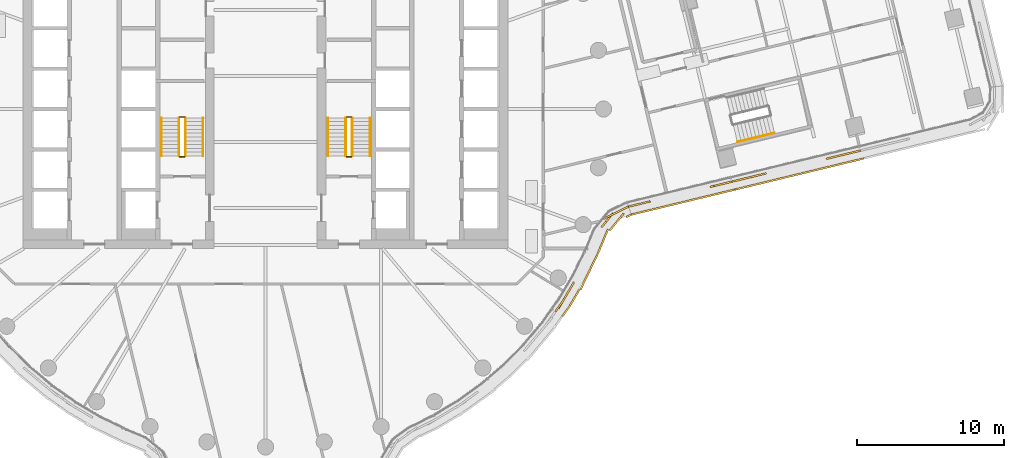
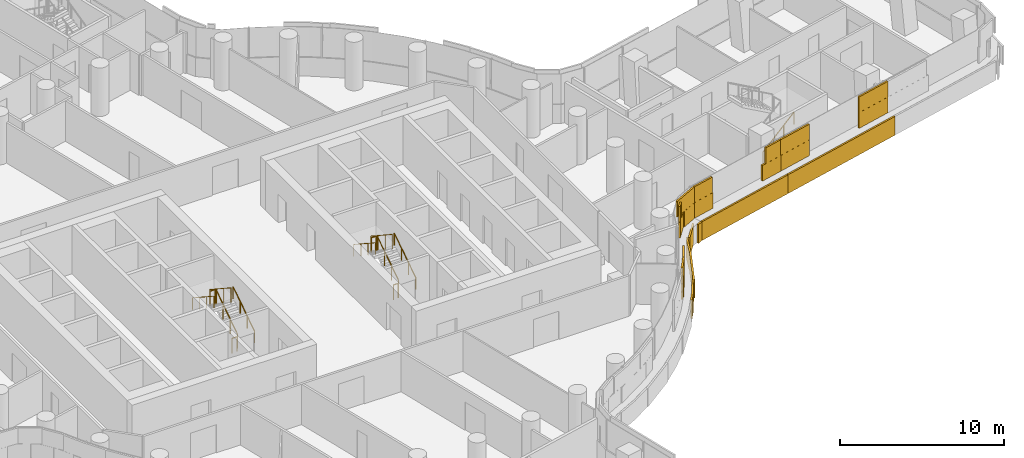
# One storey, part 28 of 33: 13 railings, 3 coverings.
"""IFC4 building model written with IfcOpenShell, lengths in metres."""

from ifc_helpers import new_model, si_unit, direction, frame, origin, origin_2d, place, context, subcontext, project, spatial, rectangle, circle, extrude, material, layer, layer_set, type_object, element, save


model = new_model("IFC4")

# Units and contexts
model_context = context("Model", 3, precision=1e-05, world=origin(), true_north=direction((0.0, 1.0)))
body_context = subcontext(model_context, "Body", "Model", "MODEL_VIEW")
ifc_project = project(units=[si_unit("LENGTHUNIT", "METRE"), si_unit("AREAUNIT", "SQUARE_METRE"), si_unit("VOLUMEUNIT", "CUBIC_METRE"), si_unit("PLANEANGLEUNIT", "RADIAN"), si_unit("MASSUNIT", "GRAM", prefix="KILO")], contexts=[model_context])

# Site, building, storey
site_placement = place(None, origin())
site = spatial("IfcSite", under=ifc_project, at=site_placement, CompositionType="ELEMENT")
building_placement = place(site_placement, origin())
building = spatial("IfcBuilding", under=site, at=building_placement, Name="Tamarind Cross Interchange Tower", CompositionType="ELEMENT")
storey_placement = place(building_placement, frame((0.0, 0.0, 83.5)))
storey = spatial("IfcBuildingStorey", under=building, at=storey_placement, Name="L19", CompositionType="ELEMENT", Elevation=83.5)

# Railings
ifc_material_1 = material(Name="Stair guard")
railing_type_1 = type_object("IfcRailingType", Name="Stair guard", PredefinedType="GUARDRAIL", material=ifc_material_1)
railing_1_placement = place(storey_placement, frame((-5.449951171875, -3.199951171875, 0.17041015625)))
element("IfcRailing", 1, at=railing_1_placement, inside=storey, type_object=railing_type_1, Name="L19 ST1 stair guard 1", PredefinedType="GUARDRAIL", context=body_context, shape_type="SweptSolid", body=[
    extrude(circle(Radius=0.02392578125, at=origin_2d()), frame((0.0, 0.0, 1.076171875), z_axis=(0.0, 0.836278606002, 0.548304744775), x_axis=(-1.0, 0.0, 0.0)), (0.0, 0.0, 1.0), 3.10888671875),
    extrude(circle(Radius=0.02099609375, at=origin_2d()), origin(), (0.0, 0.0, 1.0), 1.052001953125),
    extrude(circle(Radius=0.02099609375, at=origin_2d()), frame((0.0, 0.86669921875, 0.568115234375)), (0.0, 0.0, 1.0), 1.052001953125),
    extrude(circle(Radius=0.02099609375, at=origin_2d()), frame((0.0, 1.733154296875, 1.136474609375)), (0.0, 0.0, 1.0), 1.052001953125),
    extrude(circle(Radius=0.02099609375, at=origin_2d()), frame((0.0, 2.599853515625, 1.70458984375)), (0.0, 0.0, 1.0), 1.052001953125),
])
railing_2_placement = place(storey_placement, frame((-5.5, -0.550048828125, 1.875)))
element("IfcRailing", 2, at=railing_2_placement, inside=storey, type_object=railing_type_1, Name="L19 ST1 stair guard 2", PredefinedType="GUARDRAIL", context=body_context, shape_type="SweptSolid", body=[
    extrude(circle(Radius=0.02392578125, at=origin_2d()), frame((0.0, 0.0, 1.076171875), z_axis=(-1.0, 0.0, 0.0), x_axis=(0.0, -1.0, 0.0)), (0.0, 0.0, 1.0), 0.35009765625),
    extrude(circle(Radius=0.02099609375, at=origin_2d()), origin(), (0.0, 0.0, 1.0), 1.052001953125),
    extrude(circle(Radius=0.02099609375, at=origin_2d()), frame((-0.35009765625, 0.0, 0.0)), (0.0, 0.0, 1.0), 1.052001953125),
])
railing_3_placement = place(storey_placement, frame((-5.89990234375, -0.60009765625, 2.04541015625)))
element("IfcRailing", 3, at=railing_3_placement, inside=storey, type_object=railing_type_1, Name="L19 ST1 stair guard 3", PredefinedType="GUARDRAIL", context=body_context, shape_type="SweptSolid", body=[
    extrude(circle(Radius=0.02392578125, at=origin_2d()), frame((0.0, 0.0, 1.076171875), z_axis=(0.0, -0.836278606002, 0.548304744775), x_axis=(1.0, 0.0, 0.0)), (0.0, 0.0, 1.0), 3.10888671875),
    extrude(circle(Radius=0.02099609375, at=origin_2d()), origin(), (0.0, 0.0, 1.0), 1.052001953125),
    extrude(circle(Radius=0.02099609375, at=origin_2d()), frame((0.0, -0.86669921875, 0.568115234375)), (0.0, 0.0, 1.0), 1.052001953125),
    extrude(circle(Radius=0.02099609375, at=origin_2d()), frame((0.0, -1.733154296875, 1.136474609375)), (0.0, 0.0, 1.0), 1.052001953125),
    extrude(circle(Radius=0.02099609375, at=origin_2d()), frame((0.0, -2.599853515625, 1.70458984375)), (0.0, 0.0, 1.0), 1.052001953125),
])
railing_4_placement = place(storey_placement, frame((-5.5, -3.25, 0.0)))
element("IfcRailing", 4, at=railing_4_placement, inside=storey, type_object=railing_type_1, Name="L19 ST1 stair guard 4", PredefinedType="GUARDRAIL", context=body_context, shape_type="SweptSolid", body=[
    extrude(circle(Radius=0.02392578125, at=origin_2d()), frame((0.0, 0.0, 1.076171875), z_axis=(-1.0, 0.0, 0.0), x_axis=(0.0, -1.0, 0.0)), (0.0, 0.0, 1.0), 0.35009765625),
    extrude(circle(Radius=0.02099609375, at=origin_2d()), origin(), (0.0, 0.0, 1.0), 1.052001953125),
    extrude(circle(Radius=0.02099609375, at=origin_2d()), frame((-0.35009765625, 0.0, 0.0)), (0.0, 0.0, 1.0), 1.052001953125),
])
railing_5_placement = place(storey_placement, frame((5.89990234375, -3.199951171875, 0.17041015625)))
element("IfcRailing", 5, at=railing_5_placement, inside=storey, type_object=railing_type_1, Name="L19 ST2 stair guard 1", PredefinedType="GUARDRAIL", context=body_context, shape_type="SweptSolid", body=[
    extrude(circle(Radius=0.02392578125, at=origin_2d()), frame((0.0, 0.0, 1.076171875), z_axis=(0.0, 0.836278606002, 0.548304744775), x_axis=(-1.0, 0.0, 0.0)), (0.0, 0.0, 1.0), 3.10888671875),
    extrude(circle(Radius=0.02099609375, at=origin_2d()), origin(), (0.0, 0.0, 1.0), 1.052001953125),
    extrude(circle(Radius=0.02099609375, at=origin_2d()), frame((0.0, 0.86669921875, 0.568115234375)), (0.0, 0.0, 1.0), 1.052001953125),
    extrude(circle(Radius=0.02099609375, at=origin_2d()), frame((0.0, 1.733154296875, 1.136474609375)), (0.0, 0.0, 1.0), 1.052001953125),
    extrude(circle(Radius=0.02099609375, at=origin_2d()), frame((0.0, 2.599853515625, 1.70458984375)), (0.0, 0.0, 1.0), 1.052001953125),
])
railing_6_placement = place(storey_placement, frame((5.85009765625, -0.550048828125, 1.875)))
element("IfcRailing", 6, at=railing_6_placement, inside=storey, type_object=railing_type_1, Name="L19 ST2 stair guard 2", PredefinedType="GUARDRAIL", context=body_context, shape_type="SweptSolid", body=[
    extrude(circle(Radius=0.02392578125, at=origin_2d()), frame((0.0, 0.0, 1.076171875), z_axis=(-1.0, 0.0, 0.0), x_axis=(0.0, -1.0, 0.0)), (0.0, 0.0, 1.0), 0.35009765625),
    extrude(circle(Radius=0.02099609375, at=origin_2d()), origin(), (0.0, 0.0, 1.0), 1.052001953125),
    extrude(circle(Radius=0.02099609375, at=origin_2d()), frame((-0.35009765625, 0.0, 0.0)), (0.0, 0.0, 1.0), 1.052001953125),
])
railing_7_placement = place(storey_placement, frame((5.449951171875, -0.60009765625, 2.04541015625)))
element("IfcRailing", 7, at=railing_7_placement, inside=storey, type_object=railing_type_1, Name="L19 ST2 stair guard 3", PredefinedType="GUARDRAIL", context=body_context, shape_type="SweptSolid", body=[
    extrude(circle(Radius=0.02392578125, at=origin_2d()), frame((0.0, 0.0, 1.076171875), z_axis=(0.0, -0.836278606002, 0.548304744775), x_axis=(1.0, 0.0, 0.0)), (0.0, 0.0, 1.0), 3.10888671875),
    extrude(circle(Radius=0.02099609375, at=origin_2d()), origin(), (0.0, 0.0, 1.0), 1.052001953125),
    extrude(circle(Radius=0.02099609375, at=origin_2d()), frame((0.0, -0.86669921875, 0.568115234375)), (0.0, 0.0, 1.0), 1.052001953125),
    extrude(circle(Radius=0.02099609375, at=origin_2d()), frame((0.0, -1.733154296875, 1.136474609375)), (0.0, 0.0, 1.0), 1.052001953125),
    extrude(circle(Radius=0.02099609375, at=origin_2d()), frame((0.0, -2.599853515625, 1.70458984375)), (0.0, 0.0, 1.0), 1.052001953125),
])
railing_8_placement = place(storey_placement, frame((5.85009765625, -3.25, 0.0)))
element("IfcRailing", 8, at=railing_8_placement, inside=storey, type_object=railing_type_1, Name="L19 ST2 stair guard 4", PredefinedType="GUARDRAIL", context=body_context, shape_type="SweptSolid", body=[
    extrude(circle(Radius=0.02392578125, at=origin_2d()), frame((0.0, 0.0, 1.076171875), z_axis=(-1.0, 0.0, 0.0), x_axis=(0.0, -1.0, 0.0)), (0.0, 0.0, 1.0), 0.35009765625),
    extrude(circle(Radius=0.02099609375, at=origin_2d()), origin(), (0.0, 0.0, 1.0), 1.052001953125),
    extrude(circle(Radius=0.02099609375, at=origin_2d()), frame((-0.35009765625, 0.0, 0.0)), (0.0, 0.0, 1.0), 1.052001953125),
])
ifc_material_2 = material(Name="Stair handrail")
railing_type_2 = type_object("IfcRailingType", Name="Stair handrail", PredefinedType="HANDRAIL", material=ifc_material_2)
railing_9_placement = place(storey_placement, frame((-4.25, -3.199951171875, 0.17041015625)))
element("IfcRailing", 9, at=railing_9_placement, inside=storey, type_object=railing_type_2, Name="L19 ST1 stair handrail 1", PredefinedType="HANDRAIL", context=body_context, shape_type="SweptSolid", body=[
    extrude(circle(Radius=0.02392578125, at=origin_2d()), frame((0.0, 0.0, 0.8759765625), z_axis=(0.0, 0.836278606002, 0.548304744775), x_axis=(-1.0, 0.0, 0.0)), (0.0, 0.0, 1.0), 3.10888671875),
    extrude(circle(Radius=0.02099609375, at=origin_2d()), origin(), (0.0, 0.0, 1.0), 0.851806640625),
    extrude(circle(Radius=0.02099609375, at=origin_2d()), frame((0.0, 0.86669921875, 0.568115234375)), (0.0, 0.0, 1.0), 0.851806640625),
    extrude(circle(Radius=0.02099609375, at=origin_2d()), frame((0.0, 1.733154296875, 1.136474609375)), (0.0, 0.0, 1.0), 0.851806640625),
    extrude(circle(Radius=0.02099609375, at=origin_2d()), frame((0.0, 2.599853515625, 1.70458984375)), (0.0, 0.0, 1.0), 0.851806640625),
])
railing_10_placement = place(storey_placement, frame((-7.10009765625, -0.60009765625, 2.04541015625)))
element("IfcRailing", 10, at=railing_10_placement, inside=storey, type_object=railing_type_2, Name="L19 ST1 stair handrail 2", PredefinedType="HANDRAIL", context=body_context, shape_type="SweptSolid", body=[
    extrude(circle(Radius=0.02392578125, at=origin_2d()), frame((0.0, 0.0, 0.8759765625), z_axis=(0.0, -0.836278606002, 0.548304744775), x_axis=(1.0, 0.0, 0.0)), (0.0, 0.0, 1.0), 3.10888671875),
    extrude(circle(Radius=0.02099609375, at=origin_2d()), origin(), (0.0, 0.0, 1.0), 0.851806640625),
    extrude(circle(Radius=0.02099609375, at=origin_2d()), frame((0.0, -0.86669921875, 0.568115234375)), (0.0, 0.0, 1.0), 0.851806640625),
    extrude(circle(Radius=0.02099609375, at=origin_2d()), frame((0.0, -1.733154296875, 1.136474609375)), (0.0, 0.0, 1.0), 0.851806640625),
    extrude(circle(Radius=0.02099609375, at=origin_2d()), frame((0.0, -2.599853515625, 1.70458984375)), (0.0, 0.0, 1.0), 0.851806640625),
])
railing_11_placement = place(storey_placement, frame((7.10009765625, -3.199951171875, 0.17041015625)))
element("IfcRailing", 11, at=railing_11_placement, inside=storey, type_object=railing_type_2, Name="L19 ST2 stair handrail 1", PredefinedType="HANDRAIL", context=body_context, shape_type="SweptSolid", body=[
    extrude(circle(Radius=0.02392578125, at=origin_2d()), frame((0.0, 0.0, 0.8759765625), z_axis=(0.0, 0.836278606002, 0.548304744775), x_axis=(-1.0, 0.0, 0.0)), (0.0, 0.0, 1.0), 3.10888671875),
    extrude(circle(Radius=0.02099609375, at=origin_2d()), origin(), (0.0, 0.0, 1.0), 0.851806640625),
    extrude(circle(Radius=0.02099609375, at=origin_2d()), frame((0.0, 0.86669921875, 0.568115234375)), (0.0, 0.0, 1.0), 0.851806640625),
    extrude(circle(Radius=0.02099609375, at=origin_2d()), frame((0.0, 1.733154296875, 1.136474609375)), (0.0, 0.0, 1.0), 0.851806640625),
    extrude(circle(Radius=0.02099609375, at=origin_2d()), frame((0.0, 2.599853515625, 1.70458984375)), (0.0, 0.0, 1.0), 0.851806640625),
])
railing_12_placement = place(storey_placement, frame((4.25, -0.60009765625, 2.04541015625)))
element("IfcRailing", 12, at=railing_12_placement, inside=storey, type_object=railing_type_2, Name="L19 ST2 stair handrail 2", PredefinedType="HANDRAIL", context=body_context, shape_type="SweptSolid", body=[
    extrude(circle(Radius=0.02392578125, at=origin_2d()), frame((0.0, 0.0, 0.8759765625), z_axis=(0.0, -0.836278606002, 0.548304744775), x_axis=(1.0, 0.0, 0.0)), (0.0, 0.0, 1.0), 3.10888671875),
    extrude(circle(Radius=0.02099609375, at=origin_2d()), origin(), (0.0, 0.0, 1.0), 0.851806640625),
    extrude(circle(Radius=0.02099609375, at=origin_2d()), frame((0.0, -0.86669921875, 0.568115234375)), (0.0, 0.0, 1.0), 0.851806640625),
    extrude(circle(Radius=0.02099609375, at=origin_2d()), frame((0.0, -1.733154296875, 1.136474609375)), (0.0, 0.0, 1.0), 0.851806640625),
    extrude(circle(Radius=0.02099609375, at=origin_2d()), frame((0.0, -2.599853515625, 1.70458984375)), (0.0, 0.0, 1.0), 0.851806640625),
])
railing_13_placement = place(storey_placement, frame((32.1083984375, -2.23876953125, 0.17041015625)))
element("IfcRailing", 13, at=railing_13_placement, inside=storey, type_object=railing_type_2, Name="L19 ST3 stair handrail 1", PredefinedType="HANDRAIL", context=body_context, shape_type="SweptSolid", body=[
    extrude(circle(Radius=0.02392578125, at=origin_2d()), frame((0.0, 0.0, 0.8759765625), z_axis=(0.812910466723, 0.196395776398, 0.548274814399), x_axis=(-0.234839402475, 0.972034184093, 0.0)), (0.0, 0.0, 1.0), 3.10888671875),
    extrude(circle(Radius=0.02099609375, at=origin_2d()), origin(), (0.0, 0.0, 1.0), 0.851806640625),
    extrude(circle(Radius=0.02099609375, at=origin_2d()), frame((0.842529296875, 0.20361328125, 0.568115234375)), (0.0, 0.0, 1.0), 0.851806640625),
    extrude(circle(Radius=0.02099609375, at=origin_2d()), frame((1.684814453125, 0.406982421875, 1.136474609375)), (0.0, 0.0, 1.0), 0.851806640625),
    extrude(circle(Radius=0.02099609375, at=origin_2d()), frame((2.52734375, 0.610595703125, 1.70458984375)), (0.0, 0.0, 1.0), 0.851806640625),
])

# Coverings
ifc_material_3 = material(Name="Terracotta", Category="masonry")
ifc_layer = layer(ifc_material_3, 0.1201171875)
ifc_layer_set = layer_set([ifc_layer], Name="Terracotta")
covering_type = type_object("IfcCoveringType", Name="Terracotta baguette screen unit", PredefinedType="MOLDING", material=ifc_layer_set)
covering_1_placement = place(storey_placement, origin())
element("IfcCovering", 14, at=covering_1_placement, inside=storey, type_object=covering_type, Name="SCR-L19-10-01", PredefinedType="MOLDING", context=body_context, shape_type="SweptSolid", body=[
    extrude(rectangle(XDim=0.298095703125, YDim=0.1201171875, at=origin_2d()), frame((19.813232421875, -13.66259765625, 1.404052734375), z_axis=(0.0, 0.0, 1.0), x_axis=(0.577568978284, 0.816341886298, 0.0)), (0.0, 0.0, 1.0), 1.1669921875),
    extrude(rectangle(XDim=1.52001953125, YDim=0.1201171875, at=origin_2d()), frame((20.31640625, -12.92431640625, 1.404052734375), z_axis=(0.0, 0.0, 1.0), x_axis=(0.508183308752, 0.861248933065, 0.0)), (0.0, 0.0, 1.0), 1.1669921875),
    extrude(rectangle(XDim=0.58251953125, YDim=0.1201171875, at=origin_2d()), frame((20.843017578125, -12.03173828125, 1.404052734375), z_axis=(0.0, 0.0, 1.0), x_axis=(0.508183308752, 0.861248933065, 0.0)), (0.0, 0.0, 1.0), 1.1669921875),
    extrude(rectangle(XDim=1.237548828125, YDim=0.1201171875, at=origin_2d()), frame((23.252685546875, -7.568603515625, 1.404052734375), z_axis=(0.0, 0.0, 1.0), x_axis=(0.633230544773, 0.77396322727, 0.0)), (0.0, 0.0, 1.0), 1.1669921875),
    extrude(rectangle(XDim=1.142822265625, YDim=0.1201171875, at=origin_2d()), frame((24.1875, -6.891845703125, 1.404052734375), z_axis=(0.0, 0.0, 1.0), x_axis=(0.898036702198, 0.43992053999, 0.0)), (0.0, 0.0, 1.0), 1.1669921875),
    extrude(rectangle(XDim=1.048095703125, YDim=0.1201171875, at=origin_2d()), frame((20.02978515625, -13.3564453125, 2.5791015625), z_axis=(0.0, 0.0, 1.0), x_axis=(0.577568978284, 0.816341886298, 0.0)), (0.0, 0.0, 1.0), 1.1669921875),
    extrude(rectangle(XDim=1.33251953125, YDim=0.1201171875, at=origin_2d()), frame((20.652587890625, -12.354736328125, 2.5791015625), z_axis=(0.0, 0.0, 1.0), x_axis=(0.508183308752, 0.861248933065, 0.0)), (0.0, 0.0, 1.0), 1.1669921875),
    extrude(rectangle(XDim=0.487548828125, YDim=0.1201171875, at=origin_2d()), frame((23.01513671875, -7.85888671875, 2.5791015625), z_axis=(0.0, 0.0, 1.0), x_axis=(0.633230544773, 0.77396322727, 0.0)), (0.0, 0.0, 1.0), 1.1669921875),
    extrude(rectangle(XDim=1.52001953125, YDim=0.1201171875, at=origin_2d()), frame((23.678955078125, -7.140869140625, 2.5791015625), z_axis=(0.0, 0.0, 1.0), x_axis=(0.898036702198, 0.43992053999, 0.0)), (0.0, 0.0, 1.0), 1.1669921875),
    extrude(rectangle(XDim=0.392822265625, YDim=0.1201171875, at=origin_2d()), frame((24.5244140625, -6.726806640625, 2.5791015625), z_axis=(0.0, 0.0, 1.0), x_axis=(0.898036702198, 0.43992053999, 0.0)), (0.0, 0.0, 1.0), 1.1669921875),
    extrude(rectangle(XDim=0.705810546875, YDim=0.1201171875, at=origin_2d()), frame((20.404541015625, -13.82080078125, 0.00390625), z_axis=(0.0, 0.0, 1.0), x_axis=(0.577568978284, 0.816341886298, 0.0)), (0.0, 0.0, 1.0), 1.39208984375),
    extrude(rectangle(XDim=1.52001953125, YDim=0.1201171875, at=origin_2d()), frame((20.995849609375, -12.902587890625, 0.00390625), z_axis=(0.0, 0.0, 1.0), x_axis=(0.508183308752, 0.861248933065, 0.0)), (0.0, 0.0, 1.0), 1.39208984375),
    extrude(rectangle(XDim=1.52001953125, YDim=0.1201171875, at=origin_2d()), frame((21.755126953125, -11.609375, 0.00390625), z_axis=(0.0, 0.0, 1.0), x_axis=(0.435326231914, 0.900272776334, 0.0)), (0.0, 0.0, 1.0), 1.39208984375),
    extrude(rectangle(XDim=1.52001953125, YDim=0.1201171875, at=origin_2d()), frame((22.408203125, -10.2587890625, 0.00390625), z_axis=(0.0, 0.0, 1.0), x_axis=(0.435326231914, 0.900272776334, 0.0)), (0.0, 0.0, 1.0), 1.39208984375),
    extrude(rectangle(XDim=1.52001953125, YDim=0.1201171875, at=origin_2d()), frame((23.0087890625, -8.885009765625, 0.00390625), z_axis=(0.0, 0.0, 1.0), x_axis=(0.383444640748, 0.923563862157, 0.0)), (0.0, 0.0, 1.0), 1.39208984375),
    extrude(rectangle(XDim=1.52001953125, YDim=0.1201171875, at=origin_2d()), frame((23.897216796875, -7.687255859375, 0.00390625), z_axis=(0.0, 0.0, 1.0), x_axis=(0.633230544773, 0.77396322727, 0.0)), (0.0, 0.0, 1.0), 1.39208984375),
    extrude(rectangle(XDim=0.376953125, YDim=0.1201171875, at=origin_2d()), frame((24.722900390625, -7.2685546875, 0.00390625), z_axis=(0.0, 0.0, 1.0), x_axis=(0.898036702198, 0.43992053999, 0.0)), (0.0, 0.0, 1.0), 1.39208984375),
])
covering_2_placement = place(storey_placement, origin())
element("IfcCovering", 15, at=covering_2_placement, inside=storey, type_object=covering_type, Name="SCR-L19-11-00", PredefinedType="MOLDING", context=body_context, shape_type="SweptSolid", body=[
    extrude(rectangle(XDim=0.760009765625, YDim=0.1201171875, at=origin_2d()), frame((25.060791015625, -6.554443359375, 1.404052734375), z_axis=(0.0, 0.0, 1.0), x_axis=(0.972033185193, 0.234843537027, 0.0)), (0.0, 0.0, 1.0), 1.1669921875),
    extrude(rectangle(XDim=0.784912109375, YDim=0.1201171875, at=origin_2d()), frame((25.8017578125, -6.37548828125, 1.404052734375), z_axis=(0.0, 0.0, 1.0), x_axis=(0.972033185193, 0.234843537027, 0.0)), (0.0, 0.0, 1.0), 1.1669921875),
    extrude(rectangle(XDim=1.03515625, YDim=0.1201171875, at=origin_2d()), frame((30.75927734375, -5.177734375, 1.404052734375), z_axis=(0.0, 0.0, 1.0), x_axis=(0.972033185193, 0.234843537027, 0.0)), (0.0, 0.0, 1.0), 1.1669921875),
    extrude(rectangle(XDim=0.509521484375, YDim=0.1201171875, at=origin_2d()), frame((31.500244140625, -4.998779296875, 1.404052734375), z_axis=(0.0, 0.0, 1.0), x_axis=(0.972033185193, 0.234843537027, 0.0)), (0.0, 0.0, 1.0), 1.1669921875),
    extrude(rectangle(XDim=1.510009765625, YDim=0.1201171875, at=origin_2d()), frame((25.42529296875, -6.466552734375, 2.5791015625), z_axis=(0.0, 0.0, 1.0), x_axis=(0.972033185193, 0.234843537027, 0.0)), (0.0, 0.0, 1.0), 1.1669921875),
    extrude(rectangle(XDim=1.259521484375, YDim=0.1201171875, at=origin_2d()), frame((31.1357421875, -5.086669921875, 2.5791015625), z_axis=(0.0, 0.0, 1.0), x_axis=(0.972033185193, 0.234843537027, 0.0)), (0.0, 0.0, 1.0), 1.1669921875),
    extrude(rectangle(XDim=0.760009765625, YDim=0.1201171875, at=origin_2d()), frame((25.26171875, -7.096435546875, 0.00390625), z_axis=(0.0, 0.0, 1.0), x_axis=(0.972033185193, 0.234843537027, 0.0)), (0.0, 0.0, 1.0), 1.39208984375),
    extrude(rectangle(XDim=1.52001953125, YDim=0.1201171875, at=origin_2d()), frame((26.350341796875, -6.83349609375, 0.00390625), z_axis=(0.0, 0.0, 1.0), x_axis=(0.972033185193, 0.234843537027, 0.0)), (0.0, 0.0, 1.0), 1.39208984375),
    extrude(rectangle(XDim=1.52001953125, YDim=0.1201171875, at=origin_2d()), frame((27.808349609375, -6.481201171875, 0.00390625), z_axis=(0.0, 0.0, 1.0), x_axis=(0.972033185193, 0.234843537027, 0.0)), (0.0, 0.0, 1.0), 1.39208984375),
    extrude(rectangle(XDim=1.52001953125, YDim=0.1201171875, at=origin_2d()), frame((29.266357421875, -6.12890625, 0.00390625), z_axis=(0.0, 0.0, 1.0), x_axis=(0.972033185193, 0.234843537027, 0.0)), (0.0, 0.0, 1.0), 1.39208984375),
    extrude(rectangle(XDim=1.52001953125, YDim=0.1201171875, at=origin_2d()), frame((30.724365234375, -5.776611328125, 0.00390625), z_axis=(0.0, 0.0, 1.0), x_axis=(0.972033185193, 0.234843537027, 0.0)), (0.0, 0.0, 1.0), 1.39208984375),
    extrude(rectangle(XDim=0.513427734375, YDim=0.1201171875, at=origin_2d()), frame((31.693359375, -5.542724609375, 0.00390625), z_axis=(0.0, 0.0, 1.0), x_axis=(0.972033185193, 0.234843537027, 0.0)), (0.0, 0.0, 1.0), 1.39208984375),
])
covering_3_placement = place(storey_placement, origin())
element("IfcCovering", 16, at=covering_3_placement, inside=storey, type_object=covering_type, Name="SCR-L19-11-01", PredefinedType="MOLDING", context=body_context, shape_type="SweptSolid", body=[
    extrude(rectangle(XDim=1.010498046875, YDim=0.1201171875, at=origin_2d()), frame((32.229248046875, -4.822509765625, 1.404052734375), z_axis=(0.0, 0.0, 1.0), x_axis=(0.972033185193, 0.234843537027, 0.0)), (0.0, 0.0, 1.0), 1.1669921875),
    extrude(rectangle(XDim=1.409912109375, YDim=0.1201171875, at=origin_2d()), frame((33.39599609375, -4.540771484375, 1.404052734375), z_axis=(0.0, 0.0, 1.0), x_axis=(0.972033185193, 0.234843537027, 0.0)), (0.0, 0.0, 1.0), 1.1669921875),
    extrude(rectangle(XDim=0.409912109375, YDim=0.1201171875, at=origin_2d()), frame((38.353271484375, -3.343017578125, 1.404052734375), z_axis=(0.0, 0.0, 1.0), x_axis=(0.972033185193, 0.234843537027, 0.0)), (0.0, 0.0, 1.0), 1.1669921875),
    extrude(rectangle(XDim=1.52001953125, YDim=0.1201171875, at=origin_2d()), frame((39.27685546875, -3.119873046875, 1.404052734375), z_axis=(0.0, 0.0, 1.0), x_axis=(0.972033185193, 0.234843537027, 0.0)), (0.0, 0.0, 1.0), 1.1669921875),
    extrude(rectangle(XDim=0.51025390625, YDim=0.1201171875, at=origin_2d()), frame((40.2490234375, -2.885009765625, 1.404052734375), z_axis=(0.0, 0.0, 1.0), x_axis=(0.972033185193, 0.234843537027, 0.0)), (0.0, 0.0, 1.0), 1.1669921875),
    extrude(rectangle(XDim=0.260498046875, YDim=0.1201171875, at=origin_2d()), frame((31.86474609375, -4.91064453125, 2.5791015625), z_axis=(0.0, 0.0, 1.0), x_axis=(0.972033185193, 0.234843537027, 0.0)), (0.0, 0.0, 1.0), 1.1669921875),
    extrude(rectangle(XDim=1.52001953125, YDim=0.1201171875, at=origin_2d()), frame((32.715576171875, -4.705078125, 2.5791015625), z_axis=(0.0, 0.0, 1.0), x_axis=(0.972033185193, 0.234843537027, 0.0)), (0.0, 0.0, 1.0), 1.1669921875),
    extrude(rectangle(XDim=0.659912109375, YDim=0.1201171875, at=origin_2d()), frame((33.760498046875, -4.45263671875, 2.5791015625), z_axis=(0.0, 0.0, 1.0), x_axis=(0.972033185193, 0.234843537027, 0.0)), (0.0, 0.0, 1.0), 1.1669921875),
    extrude(rectangle(XDim=1.159912109375, YDim=0.1201171875, at=origin_2d()), frame((38.7177734375, -3.2548828125, 2.5791015625), z_axis=(0.0, 0.0, 1.0), x_axis=(0.972033185193, 0.234843537027, 0.0)), (0.0, 0.0, 1.0), 1.1669921875),
    extrude(rectangle(XDim=1.26025390625, YDim=0.1201171875, at=origin_2d()), frame((39.884521484375, -2.97314453125, 2.5791015625), z_axis=(0.0, 0.0, 1.0), x_axis=(0.972033185193, 0.234843537027, 0.0)), (0.0, 0.0, 1.0), 1.1669921875),
    extrude(rectangle(XDim=1.006591796875, YDim=0.1201171875, at=origin_2d()), frame((32.43212890625, -5.364013671875, 0.00390625), z_axis=(0.0, 0.0, 1.0), x_axis=(0.972033185193, 0.234843537027, 0.0)), (0.0, 0.0, 1.0), 1.39208984375),
    extrude(rectangle(XDim=1.52001953125, YDim=0.1201171875, at=origin_2d()), frame((33.640625, -5.072265625, 0.00390625), z_axis=(0.0, 0.0, 1.0), x_axis=(0.972033185193, 0.234843537027, 0.0)), (0.0, 0.0, 1.0), 1.39208984375),
    extrude(rectangle(XDim=1.52001953125, YDim=0.1201171875, at=origin_2d()), frame((35.0986328125, -4.719970703125, 0.00390625), z_axis=(0.0, 0.0, 1.0), x_axis=(0.972033185193, 0.234843537027, 0.0)), (0.0, 0.0, 1.0), 1.39208984375),
    extrude(rectangle(XDim=1.52001953125, YDim=0.1201171875, at=origin_2d()), frame((36.556640625, -4.36767578125, 0.00390625), z_axis=(0.0, 0.0, 1.0), x_axis=(0.972033185193, 0.234843537027, 0.0)), (0.0, 0.0, 1.0), 1.39208984375),
    extrude(rectangle(XDim=1.52001953125, YDim=0.1201171875, at=origin_2d()), frame((38.0146484375, -4.015380859375, 0.00390625), z_axis=(0.0, 0.0, 1.0), x_axis=(0.972033185193, 0.234843537027, 0.0)), (0.0, 0.0, 1.0), 1.39208984375),
    extrude(rectangle(XDim=1.52001953125, YDim=0.1201171875, at=origin_2d()), frame((39.47265625, -3.6630859375, 0.00390625), z_axis=(0.0, 0.0, 1.0), x_axis=(0.972033185193, 0.234843537027, 0.0)), (0.0, 0.0, 1.0), 1.39208984375),
    extrude(rectangle(XDim=0.518798828125, YDim=0.1201171875, at=origin_2d()), frame((40.4443359375, -3.428466796875, 0.00390625), z_axis=(0.0, 0.0, 1.0), x_axis=(0.972033185193, 0.234843537027, 0.0)), (0.0, 0.0, 1.0), 1.39208984375),
])

save(model, "model.ifc")
